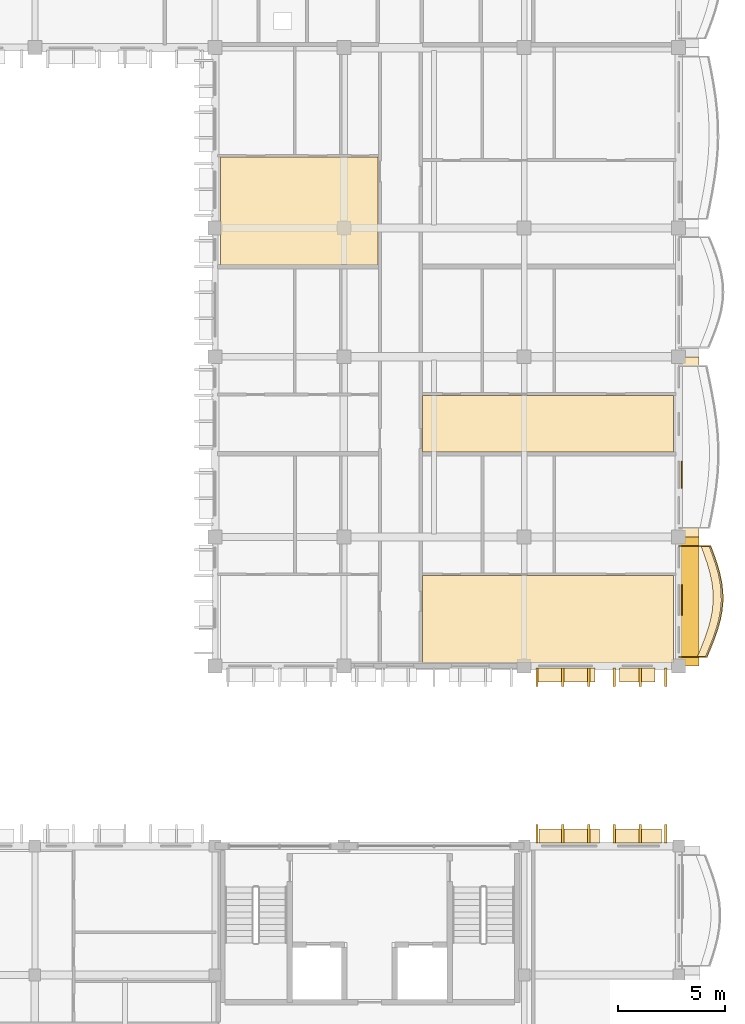
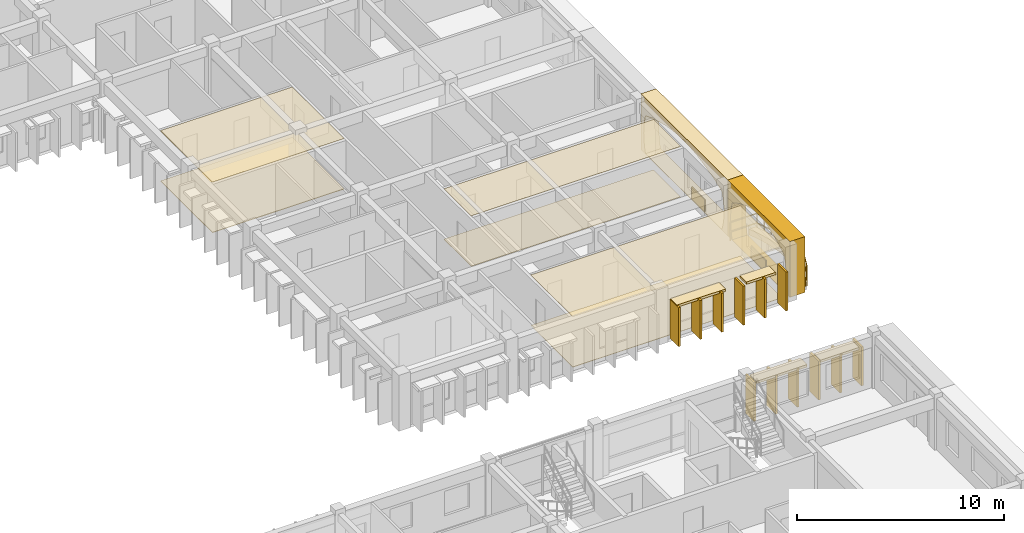
# One storey, part 96 of 101: 27 coverings, 1 railing.
"""IFC4 building model written with IfcOpenShell, lengths in metres."""

from ifc_helpers import new_model, si_unit, direction, frame, origin, origin_2d, place, context, subcontext, project, spatial, polyline, rectangle, outline, extrude, material, layer, layer_set, type_object, element, save


model = new_model("IFC4")

# Units and contexts
model_context = context("Model", 3, precision=1e-05, world=origin(), true_north=direction((0.0, 1.0)))
body_context = subcontext(model_context, "Body", "Model", "MODEL_VIEW")
ifc_project = project(units=[si_unit("LENGTHUNIT", "METRE"), si_unit("AREAUNIT", "SQUARE_METRE"), si_unit("VOLUMEUNIT", "CUBIC_METRE"), si_unit("PLANEANGLEUNIT", "RADIAN"), si_unit("MASSUNIT", "GRAM", prefix="KILO"), si_unit("THERMODYNAMICTEMPERATUREUNIT", "KELVIN")], contexts=[model_context])

# Site, building, storey
site_placement = place(None, origin())
site = spatial("IfcSite", under=ifc_project, at=site_placement, CompositionType="ELEMENT")
building_placement = place(site_placement, origin())
building = spatial("IfcBuilding", under=site, at=building_placement, Name="Thalorik Housing Commons", CompositionType="ELEMENT")
storey_placement = place(building_placement, frame((0.0, 0.0, 8.10009765625)))
storey = spatial("IfcBuildingStorey", under=building, at=storey_placement, Name="L02", CompositionType="ELEMENT", Elevation=8.10009765625)

# Coverings
ifc_material_1 = material(Name="Precast concrete C40/50", Category="concrete")
ifc_layer_1 = layer(ifc_material_1, 0.85009765625, Name="Precast concrete C40/50", Category="concrete")
ifc_layer_set_1 = layer_set([ifc_layer_1], Name="Precast concrete C40/50")
covering_type_1 = type_object("IfcCoveringType", Name="ARC-CLD-CUSH-850", PredefinedType="CLADDING", material=ifc_layer_set_1)
covering_1_placement = place(storey_placement, frame((174.527587890625, 83.39990234375, 0.0), z_axis=(0.0, 0.0, 1.0), x_axis=(0.0, 1.0, 0.0)))
element("IfcCovering", 1, at=covering_1_placement, inside=storey, type_object=covering_type_1, Name="L02 White Precast Curved Cushion Bay Frame 1840", PredefinedType="CLADDING", context=body_context, shape_type="SweptSolid", body=[
    extrude(outline(polyline([(-3.0, 0.0), (3.0, 0.0), (3.0, 3.300048828125), (-3.0, 3.300048828125), (-3.0, 0.0)]), holes=[polyline([(2.56689453125, 0.02490234375), (2.658203125, 0.387451171875), (2.713134765625, 0.75), (2.7314453125, 1.112548828125), (2.713134765625, 1.47509765625), (2.658203125, 1.83740234375), (2.56689453125, 2.199951171875), (2.150390625, 2.455810546875), (1.73388671875, 2.656494140625), (1.317626953125, 2.819091796875), (0.901123046875, 2.940185546875), (0.48486328125, 3.014892578125), (0.068359375, 3.0400390625), (-0.347900390625, 3.014892578125), (-0.764404296875, 2.940185546875), (-1.180908203125, 2.819091796875), (-1.59716796875, 2.656494140625), (-2.013671875, 2.455810546875), (-2.429931640625, 2.199951171875), (-2.55029296875, 1.83740234375), (-2.62255859375, 1.47509765625), (-2.646484375, 1.112548828125), (-2.62255859375, 0.75), (-2.55029296875, 0.387451171875), (-2.429931640625, 0.02490234375), (2.56689453125, 0.02490234375)])]), frame((0.0, 0.425048828125, 0.0), z_axis=(0.0, -1.0, 0.0), x_axis=(1.0, 0.0, 0.0)), (0.0, 0.0, 1.0), 0.85009765625),
])
covering_2_placement = place(storey_placement, frame((174.527587890625, 90.60009765625, 0.0), z_axis=(0.0, 0.0, 1.0), x_axis=(0.0, 1.0, 0.0)))
element("IfcCovering", 2, at=covering_2_placement, inside=storey, type_object=covering_type_1, Name="L02 White Precast Curved Cushion Bay Frame 1842", PredefinedType="CLADDING", context=body_context, shape_type="SweptSolid", body=[
    extrude(outline(polyline([(-4.199951171875, 0.0), (4.199951171875, 0.0), (4.199951171875, 3.300048828125), (-4.199951171875, 3.300048828125), (-4.199951171875, 0.0)]), holes=[polyline([(3.7626953125, 0.02490234375), (3.85498046875, 0.399169921875), (3.910400390625, 0.773193359375), (3.928955078125, 1.1474609375), (3.910400390625, 1.521728515625), (3.85498046875, 1.895751953125), (3.7626953125, 2.27001953125), (3.146728515625, 2.50439453125), (2.53076171875, 2.6884765625), (1.91455078125, 2.837646484375), (1.298583984375, 2.948486328125), (0.6826171875, 3.016845703125), (0.06640625, 3.0400390625), (-0.5498046875, 3.016845703125), (-1.165771484375, 2.948486328125), (-1.78173828125, 2.837646484375), (-2.39794921875, 2.6884765625), (-3.013916015625, 2.50439453125), (-3.6298828125, 2.27001953125), (-3.750244140625, 1.895751953125), (-3.822509765625, 1.521728515625), (-3.8466796875, 1.1474609375), (-3.822509765625, 0.773193359375), (-3.750244140625, 0.399169921875), (-3.6298828125, 0.02490234375), (3.7626953125, 0.02490234375)])]), frame((0.0, 0.425048828125, 0.0), z_axis=(0.0, -1.0, 0.0), x_axis=(1.0, 0.0, 0.0)), (0.0, 0.0, 1.0), 0.85009765625),
])
ifc_layer_2 = layer(ifc_material_1, 0.85009765625, Name="Precast concrete C40/50", Category="concrete")
ifc_layer_set_2 = layer_set([ifc_layer_2], Name="Precast concrete C40/50")
covering_type_2 = type_object("IfcCoveringType", Name="ARC-CLD-FIN-850", PredefinedType="CLADDING", material=ifc_layer_set_2)
for number, where, z_axis, x_axis, name in (
    (3, (167.39990234375, 79.87255859375, 0.0400390625), (0.0, 0.0, 1.0), (1.0, 0.0, 0.0), "L02 Courtyard Precast Vertical Brise-Soleil Fin 1832"),
    (4, (168.60009765625, 79.87255859375, 0.0400390625), (0.0, 0.0, 1.0), (1.0, 0.0, 0.0), "L02 Courtyard Precast Vertical Brise-Soleil Fin 1833"),
    (5, (169.800048828125, 79.87255859375, 0.0400390625), (0.0, 0.0, 1.0), (1.0, 0.0, 0.0), "L02 Courtyard Precast Vertical Brise-Soleil Fin 1834"),
    (6, (171.0, 79.87255859375, 0.0400390625), (0.0, 0.0, 1.0), (1.0, 0.0, 0.0), "L02 Courtyard Precast Vertical Brise-Soleil Fin 1835"),
    (7, (172.199951171875, 79.87255859375, 0.0400390625), (0.0, 0.0, 1.0), (1.0, 0.0, 0.0), "L02 Courtyard Precast Vertical Brise-Soleil Fin 1836"),
    (8, (173.39990234375, 79.87255859375, 0.0400390625), (0.0, 0.0, 1.0), (1.0, 0.0, 0.0), "L02 Courtyard Precast Vertical Brise-Soleil Fin 1837"),
    (9, (173.39990234375, 72.577392578125, 0.0400390625), (0.0, 0.0, 1.0), (-1.0, 0.0, 0.0), "L02 Courtyard Precast Vertical Brise-Soleil Fin 4682"),
    (10, (172.199951171875, 72.577392578125, 0.0400390625), (0.0, 0.0, 1.0), (-1.0, 0.0, 0.0), "L02 Courtyard Precast Vertical Brise-Soleil Fin 4683"),
    (11, (171.0, 72.577392578125, 0.0400390625), (0.0, 0.0, 1.0), (-1.0, 0.0, 0.0), "L02 Courtyard Precast Vertical Brise-Soleil Fin 4684"),
    (12, (169.800048828125, 72.577392578125, 0.0400390625), (0.0, 0.0, 1.0), (-1.0, 0.0, 0.0), "L02 Courtyard Precast Vertical Brise-Soleil Fin 4685"),
    (13, (168.60009765625, 72.577392578125, 0.0400390625), (0.0, 0.0, 1.0), (-1.0, 0.0, 0.0), "L02 Courtyard Precast Vertical Brise-Soleil Fin 4686"),
    (14, (167.39990234375, 72.577392578125, 0.0400390625), (0.0, 0.0, 1.0), (-1.0, 0.0, 0.0), "L02 Courtyard Precast Vertical Brise-Soleil Fin 4687"),
):
    element("IfcCovering", number, at=place(storey_placement, frame(where, z_axis=z_axis, x_axis=x_axis)), inside=storey, type_object=covering_type_2, Name=name, PredefinedType="CLADDING", context=body_context, shape_type="SweptSolid", body=[
        extrude(rectangle(XDim=0.110107421875, YDim=0.85009765625, at=origin_2d()), origin(), (0.0, 0.0, 1.0), 2.294921875),
    ])
ifc_layer_3 = layer(ifc_material_1, 0.64990234375, Name="Precast concrete C40/50", Category="concrete")
ifc_layer_set_3 = layer_set([ifc_layer_3], Name="Precast concrete C40/50")
covering_type_3 = type_object("IfcCoveringType", Name="ARC-CLD-HOOD-650", PredefinedType="CLADDING", material=ifc_layer_set_3)
covering_3_placement = place(storey_placement, frame((168.72998046875, 79.972412109375, 2.22509765625), z_axis=(0.0, 0.0, 1.0), x_axis=(1.0, 0.0, 0.0)))
element("IfcCovering", 15, at=covering_3_placement, inside=storey, type_object=covering_type_3, Name="L02 Courtyard Precast Window Sun-Hood 1838", PredefinedType="CLADDING", context=body_context, shape_type="SweptSolid", body=[
    extrude(rectangle(XDim=2.719970703125, YDim=0.64990234375, at=origin_2d()), origin(), (0.0, 0.0, 1.0), 0.139892578125),
])
covering_4_placement = place(storey_placement, frame((172.070068359375, 79.972412109375, 2.22509765625), z_axis=(0.0, 0.0, 1.0), x_axis=(1.0, 0.0, 0.0)))
element("IfcCovering", 16, at=covering_4_placement, inside=storey, type_object=covering_type_3, Name="L02 Courtyard Precast Window Sun-Hood 1839", PredefinedType="CLADDING", context=body_context, shape_type="SweptSolid", body=[
    extrude(rectangle(XDim=1.639892578125, YDim=0.64990234375, at=origin_2d()), origin(), (0.0, 0.0, 1.0), 0.139892578125),
])
covering_5_placement = place(storey_placement, frame((172.12744140625, 72.4775390625, 2.22509765625), z_axis=(0.0, 0.0, 1.0), x_axis=(-1.0, 0.0, 0.0)))
element("IfcCovering", 17, at=covering_5_placement, inside=storey, type_object=covering_type_3, Name="L02 Courtyard Precast Window Sun-Hood 4688", PredefinedType="CLADDING", context=body_context, shape_type="SweptSolid", body=[
    extrude(rectangle(XDim=2.159912109375, YDim=0.64990234375, at=origin_2d()), origin(), (0.0, 0.0, 1.0), 0.139892578125),
])
covering_6_placement = place(storey_placement, frame((168.902587890625, 72.4775390625, 2.22509765625), z_axis=(0.0, 0.0, 1.0), x_axis=(-1.0, 0.0, 0.0)))
element("IfcCovering", 18, at=covering_6_placement, inside=storey, type_object=covering_type_3, Name="L02 Courtyard Precast Window Sun-Hood 4689", PredefinedType="CLADDING", context=body_context, shape_type="SweptSolid", body=[
    extrude(rectangle(XDim=2.820068359375, YDim=0.64990234375, at=origin_2d()), origin(), (0.0, 0.0, 1.0), 0.139892578125),
])
ifc_material_2 = material(Name="Terracotta red mineral fibre-cement panel", Category="masonry")
ifc_layer_4 = layer(ifc_material_2, 0.054931640625, Name="Terracotta red mineral fibre-cement panel", Category="masonry")
ifc_layer_set_4 = layer_set([ifc_layer_4], Name="Terracotta red mineral fibre-cement panel")
covering_type_4 = type_object("IfcCoveringType", Name="ARC-CLD-RED-55", PredefinedType="CLADDING", material=ifc_layer_set_4)
covering_7_placement = place(storey_placement, frame((174.135009765625, 89.300048828125, 0.0498046875), z_axis=(0.0, 0.0, 1.0), x_axis=(0.0, 1.0, 0.0)))
element("IfcCovering", 19, at=covering_7_placement, inside=storey, type_object=covering_type_4, Name="L02 De Stijl Recessed Window Spandrel 1843", PredefinedType="CLADDING", context=body_context, shape_type="SweptSolid", body=[
    extrude(rectangle(XDim=1.25, YDim=0.054931640625, at=origin_2d()), origin(), (0.0, 0.0, 1.0), 0.699951171875),
])
ifc_material_3 = material(Name="Mineral ochre architectural terracotta panel", Category="masonry")
ifc_layer_5 = layer(ifc_material_3, 0.06494140625, Name="Mineral ochre architectural terracotta panel", Category="masonry")
ifc_layer_set_5 = layer_set([ifc_layer_5], Name="Mineral ochre architectural terracotta panel")
covering_type_5 = type_object("IfcCoveringType", Name="ARC-CLD-YEL-65", PredefinedType="CLADDING", material=ifc_layer_set_5)
covering_8_placement = place(storey_placement, frame((174.139892578125, 83.4716796875, 0.0498046875), z_axis=(0.0, 0.0, 1.0), x_axis=(0.0, 1.0, 0.0)))
element("IfcCovering", 20, at=covering_8_placement, inside=storey, type_object=covering_type_5, Name="L02 De Stijl Recessed Window Spandrel 1841", PredefinedType="CLADDING", context=body_context, shape_type="SweptSolid", body=[
    extrude(rectangle(XDim=1.419921875, YDim=0.06494140625, at=origin_2d()), origin(), (0.0, 0.0, 1.0), 0.699951171875),
])
ifc_material_4 = material(Name="Moisture-resistant gypsum bathroom ceiling")
ifc_layer_6 = layer(ifc_material_4, 0.02490234375, Name="Moisture-resistant gypsum bathroom ceiling")
ifc_layer_set_6 = layer_set([ifc_layer_6], Name="Moisture-resistant gypsum bathroom ceiling")
covering_type_6 = type_object("IfcCoveringType", Name="ARC-COV-CEIL-04", PredefinedType="CEILING", material=ifc_layer_set_6)
covering_9_placement = place(storey_placement, frame((0.0, 0.0, 2.974853515625)))
element("IfcCovering", 21, at=covering_9_placement, inside=storey, type_object=covering_type_6, Name="L02 Living Dining Room Suspended Ceiling", PredefinedType="CEILING", context=body_context, shape_type="SweptSolid", body=[
    extrude(outline(polyline([(173.760009765625, 84.603515625), (162.06005859375, 84.603515625), (162.06005859375, 80.5400390625), (173.760009765625, 80.5400390625), (173.760009765625, 84.603515625)])), origin(), (0.0, 0.0, 1.0), 0.025146484375),
])
ifc_material_5 = material(Name="Fire-rated calcium silicate corridor ceiling")
ifc_layer_7 = layer(ifc_material_5, 0.030029296875, Name="Fire-rated calcium silicate corridor ceiling")
ifc_layer_set_7 = layer_set([ifc_layer_7], Name="Fire-rated calcium silicate corridor ceiling")
covering_type_7 = type_object("IfcCoveringType", Name="ARC-COV-CEIL-05", PredefinedType="CEILING", material=ifc_layer_set_7)
covering_10_placement = place(storey_placement, frame((0.0, 0.0, 2.969970703125)))
element("IfcCovering", 22, at=covering_10_placement, inside=storey, type_object=covering_type_7, Name="L02 Family Lounge Suspended Ceiling", PredefinedType="CEILING", context=body_context, shape_type="SweptSolid", body=[
    extrude(outline(polyline([(173.760009765625, 92.99560546875), (162.06005859375, 92.99560546875), (162.06005859375, 90.360107421875), (173.760009765625, 90.360107421875), (173.760009765625, 92.99560546875)])), origin(), (0.0, 0.0, 1.0), 0.030029296875),
])
ifc_material_6 = material(Name="Acoustic wood-wool nursery ceiling panel", Category="wood")
ifc_layer_8 = layer(ifc_material_6, 0.035888671875, Name="Acoustic wood-wool nursery ceiling panel", Category="wood")
ifc_layer_set_8 = layer_set([ifc_layer_8], Name="Acoustic wood-wool nursery ceiling panel")
covering_type_8 = type_object("IfcCoveringType", Name="ARC-COV-CEIL-06", PredefinedType="CEILING", material=ifc_layer_set_8)
covering_11_placement = place(storey_placement, frame((0.0, 0.0, 2.9638671875)))
element("IfcCovering", 23, at=covering_11_placement, inside=storey, type_object=covering_type_8, Name="L02 Living Dining Room Suspended Ceiling", PredefinedType="CEILING", context=body_context, shape_type="SweptSolid", body=[
    extrude(outline(polyline([(160.0, 104.10009765625), (152.639892578125, 104.10009765625), (152.639892578125, 99.080078125), (160.0, 99.080078125), (160.0, 104.10009765625)])), origin(), (0.0, 0.0, 1.0), 0.0361328125),
])
ifc_material_7 = material(Name="Sprung Brazilian oak assembly hall timber floor", Category="wood")
ifc_layer_9 = layer(ifc_material_7, 0.02392578125, Name="Sprung Brazilian oak assembly hall timber floor", Category="wood")
ifc_layer_set_9 = layer_set([ifc_layer_9], Name="Sprung Brazilian oak assembly hall timber floor")
covering_type_9 = type_object("IfcCoveringType", Name="ARC-COV-FLR-04", PredefinedType="FLOORING", material=ifc_layer_set_9)
covering_12_placement = place(storey_placement, origin())
element("IfcCovering", 24, at=covering_12_placement, inside=storey, type_object=covering_type_9, Name="L02 Living Dining Room Flooring", PredefinedType="FLOORING", context=body_context, shape_type="SweptSolid", body=[
    extrude(outline(polyline([(173.760009765625, 84.603515625), (162.06005859375, 84.603515625), (162.06005859375, 80.5400390625), (173.760009765625, 80.5400390625), (173.760009765625, 84.603515625)])), origin(), (0.0, 0.0, 1.0), 0.02392578125),
])
ifc_material_8 = material(Name="Heavy-duty porcelain metro vestibule tile")
ifc_layer_10 = layer(ifc_material_8, 0.028076171875, Name="Heavy-duty porcelain metro vestibule tile")
ifc_layer_set_10 = layer_set([ifc_layer_10], Name="Heavy-duty porcelain metro vestibule tile")
covering_type_10 = type_object("IfcCoveringType", Name="ARC-COV-FLR-05", PredefinedType="FLOORING", material=ifc_layer_set_10)
covering_13_placement = place(storey_placement, origin())
element("IfcCovering", 25, at=covering_13_placement, inside=storey, type_object=covering_type_10, Name="L02 Family Lounge Flooring", PredefinedType="FLOORING", context=body_context, shape_type="SweptSolid", body=[
    extrude(outline(polyline([(173.760009765625, 92.99560546875), (162.06005859375, 92.99560546875), (162.06005859375, 90.360107421875), (173.760009765625, 90.360107421875), (173.760009765625, 92.99560546875)])), origin(), (0.0, 0.0, 1.0), 0.02783203125),
])
ifc_material_9 = material(Name="Epoxy-sealed concrete plant and bicycle hub finish", Category="concrete")
ifc_layer_11 = layer(ifc_material_9, 0.031982421875, Name="Epoxy-sealed concrete plant and bicycle hub finish", Category="concrete")
ifc_layer_set_11 = layer_set([ifc_layer_11], Name="Epoxy-sealed concrete plant and bicycle hub finish")
covering_type_11 = type_object("IfcCoveringType", Name="ARC-COV-FLR-06", PredefinedType="FLOORING", material=ifc_layer_set_11)
covering_14_placement = place(storey_placement, origin())
element("IfcCovering", 26, at=covering_14_placement, inside=storey, type_object=covering_type_11, Name="L02 Living Dining Room Flooring", PredefinedType="FLOORING", context=body_context, shape_type="SweptSolid", body=[
    extrude(outline(polyline([(160.0, 104.10009765625), (152.639892578125, 104.10009765625), (152.639892578125, 99.080078125), (160.0, 99.080078125), (160.0, 104.10009765625)])), origin(), (0.0, 0.0, 1.0), 0.031982421875),
])
ifc_material_10 = material(Name="Planted vegetated substrate and terracotta trough", Category="masonry")
ifc_layer_12 = layer(ifc_material_10, 0.340087890625, Name="Planted vegetated substrate and terracotta trough", Category="masonry")
ifc_layer_set_12 = layer_set([ifc_layer_12], Name="Planted vegetated substrate and terracotta trough")
covering_type_12 = type_object("IfcCoveringType", Name="ARC-COV-PLANTER", PredefinedType="USERDEFINED", material=ifc_layer_set_12)
covering_15_placement = place(storey_placement, origin())
element("IfcCovering", 27, at=covering_15_placement, inside=storey, type_object=covering_type_12, Name="L02 Balcony Slab-Edge Planted Trough 5430", ObjectType="PLANTER", PredefinedType="USERDEFINED", context=body_context, shape_type="SweptSolid", body=[
    extrude(outline(polyline([(175.2451171875, 80.820068359375), (175.424072265625, 81.25), (175.593505859375, 81.679931640625), (175.74267578125, 82.110107421875), (175.86181640625, 82.5400390625), (175.943603515625, 82.969970703125), (175.9833984375, 83.39990234375), (175.97900390625, 83.830078125), (175.930908203125, 84.260009765625), (175.843505859375, 84.68994140625), (175.722412109375, 85.1201171875), (175.576416015625, 85.550048828125), (175.415283203125, 85.97998046875), (175.035400390625, 85.97998046875), (175.1962890625, 85.550048828125), (175.34228515625, 85.1201171875), (175.46337890625, 84.68994140625), (175.551025390625, 84.260009765625), (175.598876953125, 83.830078125), (175.603515625, 83.39990234375), (175.563720703125, 82.969970703125), (175.481689453125, 82.5400390625), (175.362548828125, 82.110107421875), (175.213623046875, 81.679931640625), (175.044189453125, 81.25), (174.864990234375, 80.820068359375), (175.2451171875, 80.820068359375)])), origin(), (0.0, 0.0, 1.0), 0.33984375),
])

# Railing
ifc_material_11 = material(Name="Steel S355", Category="steel")
railing_type = type_object("IfcRailingType", Name="ARC-RL-BAL-112", PredefinedType="BALUSTRADE", material=ifc_material_11)
railing_placement = place(storey_placement, frame((174.0, 80.820068359375, 0.0)))
element("IfcRailing", 28, at=railing_placement, inside=storey, type_object=railing_type, Name="L02 Cushion Balcony Guardrail 114", PredefinedType="BALUSTRADE", context=body_context, shape_type="SweptSolid", body=[
    extrude(rectangle(XDim=0.050048828125, YDim=0.050048828125, at=origin_2d()), frame((0.0, 0.0, 1.09521484375), z_axis=(1.0, 0.0, 0.0), x_axis=(0.0, 1.0, 0.0)), (0.0, 0.0, 1.0), 1.31494140625),
    extrude(rectangle(XDim=0.050048828125, YDim=0.050048828125, at=origin_2d()), frame((0.0, 0.0, 0.53515625), z_axis=(1.0, 0.0, 0.0), x_axis=(0.0, 1.0, 0.0)), (0.0, 0.0, 1.0), 1.31494140625),
    extrude(rectangle(XDim=0.050048828125, YDim=0.050048828125, at=origin_2d()), frame((1.31494140625, 0.0, 1.09521484375), z_axis=(0.384727035328, 0.923030394022, 0.0), x_axis=(-0.923030394022, 0.384727035328, 0.0)), (0.0, 0.0, 1.0), 0.4658203125),
    extrude(rectangle(XDim=0.050048828125, YDim=0.050048828125, at=origin_2d()), frame((1.31494140625, 0.0, 0.53515625), z_axis=(0.384727035328, 0.923030394022, 0.0), x_axis=(-0.923030394022, 0.384727035328, 0.0)), (0.0, 0.0, 1.0), 0.4658203125),
    extrude(rectangle(XDim=0.050048828125, YDim=0.050048828125, at=origin_2d()), frame((1.494140625, 0.429931640625, 1.09521484375), z_axis=(0.366649244, 0.930359248825, 0.0), x_axis=(-0.930359248825, 0.366649244, 0.0)), (0.0, 0.0, 1.0), 0.462158203125),
    extrude(rectangle(XDim=0.050048828125, YDim=0.050048828125, at=origin_2d()), frame((1.494140625, 0.429931640625, 0.53515625), z_axis=(0.366649244, 0.930359248825, 0.0), x_axis=(-0.930359248825, 0.366649244, 0.0)), (0.0, 0.0, 1.0), 0.462158203125),
    extrude(rectangle(XDim=0.050048828125, YDim=0.050048828125, at=origin_2d()), frame((1.66357421875, 0.85986328125, 1.09521484375), z_axis=(0.327147403761, 0.944973320371, 0.0), x_axis=(-0.944973320371, 0.327147403761, 0.0)), (0.0, 0.0, 1.0), 0.455322265625),
    extrude(rectangle(XDim=0.050048828125, YDim=0.050048828125, at=origin_2d()), frame((1.66357421875, 0.85986328125, 0.53515625), z_axis=(0.327147403761, 0.944973320371, 0.0), x_axis=(-0.944973320371, 0.327147403761, 0.0)), (0.0, 0.0, 1.0), 0.455322265625),
    extrude(rectangle(XDim=0.050048828125, YDim=0.050048828125, at=origin_2d()), frame((1.8125, 1.2900390625, 1.09521484375), z_axis=(0.267559202538, 0.963541422637, 0.0), x_axis=(-0.963541422637, 0.267559202538, 0.0)), (0.0, 0.0, 1.0), 0.4462890625),
    extrude(rectangle(XDim=0.050048828125, YDim=0.050048828125, at=origin_2d()), frame((1.8125, 1.2900390625, 0.53515625), z_axis=(0.267559202538, 0.963541422637, 0.0), x_axis=(-0.963541422637, 0.267559202538, 0.0)), (0.0, 0.0, 1.0), 0.4462890625),
    extrude(rectangle(XDim=0.050048828125, YDim=0.050048828125, at=origin_2d()), frame((1.931884765625, 1.719970703125, 1.09521484375), z_axis=(0.186881392496, 0.982382484137, 0.0), x_axis=(-0.982382484137, 0.186881392496, 0.0)), (0.0, 0.0, 1.0), 0.437744140625),
    extrude(rectangle(XDim=0.050048828125, YDim=0.050048828125, at=origin_2d()), frame((1.931884765625, 1.719970703125, 0.53515625), z_axis=(0.186881392496, 0.982382484137, 0.0), x_axis=(-0.982382484137, 0.186881392496, 0.0)), (0.0, 0.0, 1.0), 0.437744140625),
    extrude(rectangle(XDim=0.050048828125, YDim=0.050048828125, at=origin_2d()), frame((2.013671875, 2.14990234375, 1.09521484375), z_axis=(0.092167064095, 0.995743557497, 0.0), x_axis=(-0.995743557497, 0.092167064095, 0.0)), (0.0, 0.0, 1.0), 0.431884765625),
    extrude(rectangle(XDim=0.050048828125, YDim=0.050048828125, at=origin_2d()), frame((2.013671875, 2.14990234375, 0.53515625), z_axis=(0.092167064095, 0.995743557497, 0.0), x_axis=(-0.995743557497, 0.092167064095, 0.0)), (0.0, 0.0, 1.0), 0.431884765625),
    extrude(rectangle(XDim=0.050048828125, YDim=0.050048828125, at=origin_2d()), frame((2.053466796875, 2.579833984375, 1.09521484375), z_axis=(-0.010782574041, 0.999941866359, 0.0), x_axis=(-0.999941866359, -0.010782574041, 0.0)), (0.0, 0.0, 1.0), 0.43017578125),
    extrude(rectangle(XDim=0.050048828125, YDim=0.050048828125, at=origin_2d()), frame((2.053466796875, 2.579833984375, 0.53515625), z_axis=(-0.010782574041, 0.999941866359, 0.0), x_axis=(-0.999941866359, -0.010782574041, 0.0)), (0.0, 0.0, 1.0), 0.43017578125),
    extrude(rectangle(XDim=0.050048828125, YDim=0.050048828125, at=origin_2d()), frame((2.048828125, 3.010009765625, 1.09521484375), z_axis=(-0.110617354693, 0.993863069462, 0.0), x_axis=(-0.993863069462, -0.110617354693, 0.0)), (0.0, 0.0, 1.0), 0.4326171875),
    extrude(rectangle(XDim=0.050048828125, YDim=0.050048828125, at=origin_2d()), frame((2.048828125, 3.010009765625, 0.53515625), z_axis=(-0.110617354693, 0.993863069462, 0.0), x_axis=(-0.993863069462, -0.110617354693, 0.0)), (0.0, 0.0, 1.0), 0.4326171875),
    extrude(rectangle(XDim=0.050048828125, YDim=0.050048828125, at=origin_2d()), frame((2.0009765625, 3.43994140625, 1.09521484375), z_axis=(-0.19975288154, 0.979846307498, 0.0), x_axis=(-0.979846307498, -0.19975288154, 0.0)), (0.0, 0.0, 1.0), 0.438720703125),
    extrude(rectangle(XDim=0.050048828125, YDim=0.050048828125, at=origin_2d()), frame((2.0009765625, 3.43994140625, 0.53515625), z_axis=(-0.19975288154, 0.979846307498, 0.0), x_axis=(-0.979846307498, -0.19975288154, 0.0)), (0.0, 0.0, 1.0), 0.438720703125),
    extrude(rectangle(XDim=0.050048828125, YDim=0.050048828125, at=origin_2d()), frame((1.913330078125, 3.869873046875, 1.09521484375), z_axis=(-0.270460752429, 0.962731001576, 0.0), x_axis=(-0.962731001576, -0.270460752429, 0.0)), (0.0, 0.0, 1.0), 0.44677734375),
    extrude(rectangle(XDim=0.050048828125, YDim=0.050048828125, at=origin_2d()), frame((1.913330078125, 3.869873046875, 0.53515625), z_axis=(-0.270460752429, 0.962731001576, 0.0), x_axis=(-0.962731001576, -0.270460752429, 0.0)), (0.0, 0.0, 1.0), 0.44677734375),
    extrude(rectangle(XDim=0.050048828125, YDim=0.050048828125, at=origin_2d()), frame((1.79248046875, 4.300048828125, 1.09521484375), z_axis=(-0.321546041533, 0.946893945051, 0.0), x_axis=(-0.946893945051, -0.321546041533, 0.0)), (0.0, 0.0, 1.0), 0.4541015625),
    extrude(rectangle(XDim=0.050048828125, YDim=0.050048828125, at=origin_2d()), frame((1.79248046875, 4.300048828125, 0.53515625), z_axis=(-0.321546041533, 0.946893945051, 0.0), x_axis=(-0.946893945051, -0.321546041533, 0.0)), (0.0, 0.0, 1.0), 0.4541015625),
    extrude(rectangle(XDim=0.050048828125, YDim=0.050048828125, at=origin_2d()), frame((1.646484375, 4.72998046875, 1.09521484375), z_axis=(-0.35094861673, 0.936394718276, 0.0), x_axis=(-0.936394718276, -0.35094861673, 0.0)), (0.0, 0.0, 1.0), 0.459228515625),
    extrude(rectangle(XDim=0.050048828125, YDim=0.050048828125, at=origin_2d()), frame((1.646484375, 4.72998046875, 0.53515625), z_axis=(-0.35094861673, 0.936394718276, 0.0), x_axis=(-0.936394718276, -0.35094861673, 0.0)), (0.0, 0.0, 1.0), 0.459228515625),
    extrude(rectangle(XDim=0.050048828125, YDim=0.050048828125, at=origin_2d()), frame((1.4853515625, 5.159912109375, 1.09521484375), z_axis=(-1.0, 0.0, 0.0), x_axis=(0.0, -1.0, 0.0)), (0.0, 0.0, 1.0), 1.4853515625),
    extrude(rectangle(XDim=0.050048828125, YDim=0.050048828125, at=origin_2d()), frame((1.4853515625, 5.159912109375, 0.53515625), z_axis=(-1.0, 0.0, 0.0), x_axis=(0.0, -1.0, 0.0)), (0.0, 0.0, 1.0), 1.4853515625),
    extrude(rectangle(XDim=0.0419921875, YDim=0.0419921875, at=origin_2d()), origin(), (0.0, 0.0, 1.0), 1.070068359375),
    extrude(rectangle(XDim=0.0419921875, YDim=0.0419921875, at=origin_2d()), frame((1.31494140625, 0.0, 0.0)), (0.0, 0.0, 1.0), 1.070068359375),
    extrude(rectangle(XDim=0.0419921875, YDim=0.0419921875, at=origin_2d()), frame((1.494140625, 0.429931640625, 0.0)), (0.0, 0.0, 1.0), 1.070068359375),
    extrude(rectangle(XDim=0.0419921875, YDim=0.0419921875, at=origin_2d()), frame((1.66357421875, 0.85986328125, 0.0)), (0.0, 0.0, 1.0), 1.070068359375),
    extrude(rectangle(XDim=0.0419921875, YDim=0.0419921875, at=origin_2d()), frame((1.8125, 1.2900390625, 0.0)), (0.0, 0.0, 1.0), 1.070068359375),
    extrude(rectangle(XDim=0.0419921875, YDim=0.0419921875, at=origin_2d()), frame((1.931884765625, 1.719970703125, 0.0)), (0.0, 0.0, 1.0), 1.070068359375),
    extrude(rectangle(XDim=0.0419921875, YDim=0.0419921875, at=origin_2d()), frame((2.013671875, 2.14990234375, 0.0)), (0.0, 0.0, 1.0), 1.070068359375),
    extrude(rectangle(XDim=0.0419921875, YDim=0.0419921875, at=origin_2d()), frame((2.053466796875, 2.579833984375, 0.0)), (0.0, 0.0, 1.0), 1.070068359375),
    extrude(rectangle(XDim=0.0419921875, YDim=0.0419921875, at=origin_2d()), frame((2.048828125, 3.010009765625, 0.0)), (0.0, 0.0, 1.0), 1.070068359375),
    extrude(rectangle(XDim=0.0419921875, YDim=0.0419921875, at=origin_2d()), frame((2.0009765625, 3.43994140625, 0.0)), (0.0, 0.0, 1.0), 1.070068359375),
    extrude(rectangle(XDim=0.0419921875, YDim=0.0419921875, at=origin_2d()), frame((1.913330078125, 3.869873046875, 0.0)), (0.0, 0.0, 1.0), 1.070068359375),
    extrude(rectangle(XDim=0.0419921875, YDim=0.0419921875, at=origin_2d()), frame((1.79248046875, 4.300048828125, 0.0)), (0.0, 0.0, 1.0), 1.070068359375),
    extrude(rectangle(XDim=0.0419921875, YDim=0.0419921875, at=origin_2d()), frame((1.646484375, 4.72998046875, 0.0)), (0.0, 0.0, 1.0), 1.070068359375),
    extrude(rectangle(XDim=0.0419921875, YDim=0.0419921875, at=origin_2d()), frame((1.4853515625, 5.159912109375, 0.0)), (0.0, 0.0, 1.0), 1.070068359375),
    extrude(rectangle(XDim=0.0419921875, YDim=0.0419921875, at=origin_2d()), frame((0.0, 5.159912109375, 0.0)), (0.0, 0.0, 1.0), 1.070068359375),
])

save(model, "model.ifc")
